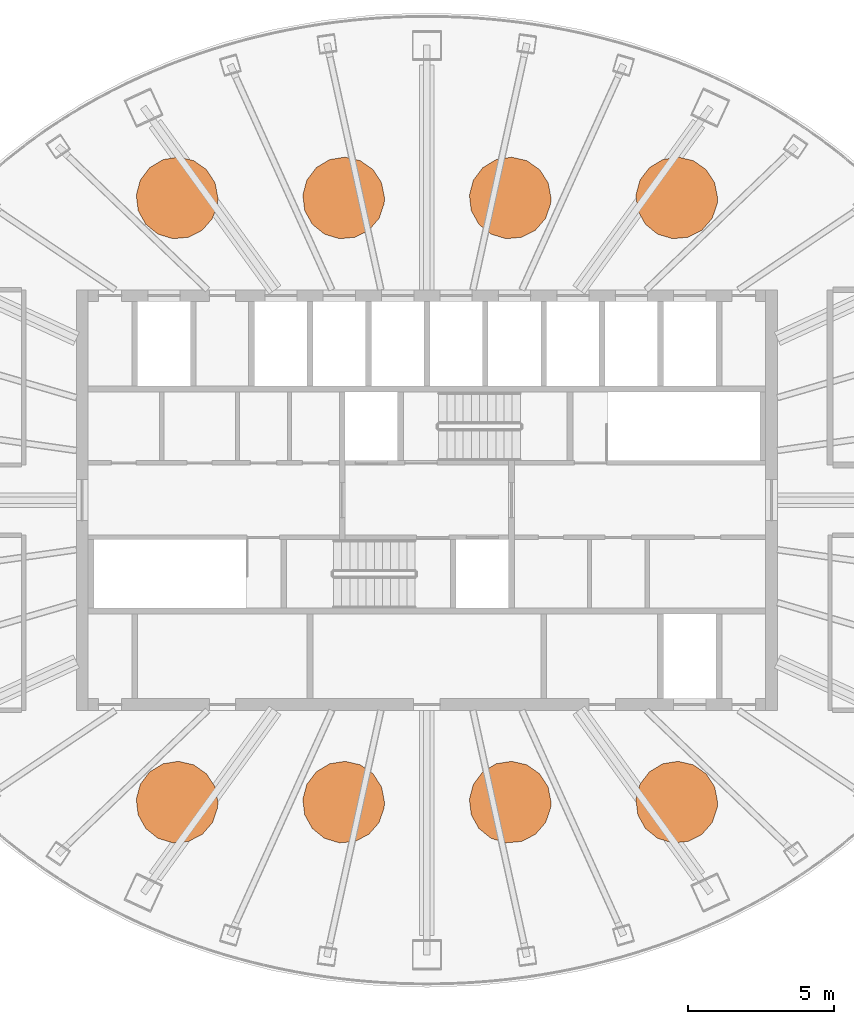
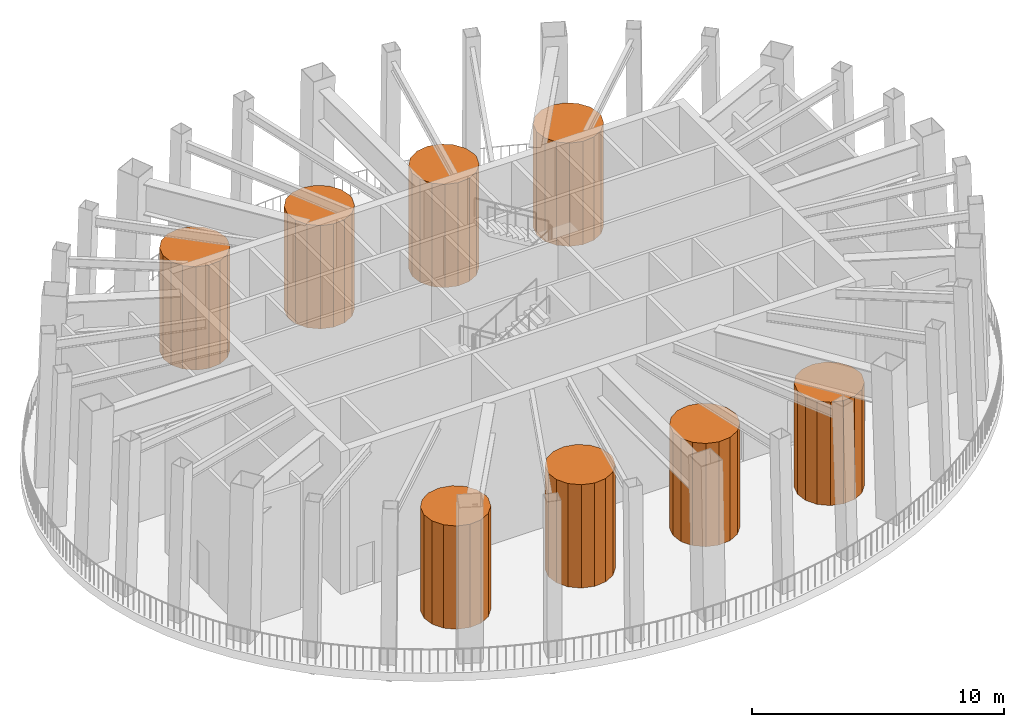
# One storey, part 12 of 12: 8 proxies.
"""IFC4 building model written with IfcOpenShell, lengths in metres."""

from ifc_helpers import new_model, si_unit, direction, frame, origin, place, context, subcontext, project, spatial, polyline, outline, extrude, material, type_object, element, save


model = new_model("IFC4")

# Units and contexts
model_context = context("Model", 3, precision=1e-05, world=origin(), true_north=direction((0.0, 1.0)))
body_context = subcontext(model_context, "Body", "Model", "MODEL_VIEW")
ifc_project = project(units=[si_unit("LENGTHUNIT", "METRE"), si_unit("AREAUNIT", "SQUARE_METRE"), si_unit("VOLUMEUNIT", "CUBIC_METRE"), si_unit("PLANEANGLEUNIT", "RADIAN"), si_unit("MASSUNIT", "GRAM", prefix="KILO")], contexts=[model_context])

# Site, building, storey
site_placement = place(None, origin())
site = spatial("IfcSite", under=ifc_project, at=site_placement, CompositionType="ELEMENT")
building_placement = place(site_placement, origin())
building = spatial("IfcBuilding", under=site, at=building_placement, Name="Siaravel Broadcast Tower", CompositionType="ELEMENT")
storey_placement = place(building_placement, frame((0.0, 0.0, 265.199951171875)))
storey = spatial("IfcBuildingStorey", under=building, at=storey_placement, Name="L65", CompositionType="ELEMENT", Elevation=265.199951171875)

# Proxies
ifc_material = material(Name="Steel S355", Category="steel")
building_element_proxy_type = type_object("IfcBuildingElementProxyType", Name="Vertical-axis wind turbine", PredefinedType="USERDEFINED", material=ifc_material)
proxy_1_placement = place(storey_placement, origin())
element("IfcBuildingElementProxy", 1, at=proxy_1_placement, inside=storey, type_object=building_element_proxy_type, Name="Vertical-axis wind turbine 1", ObjectType="WIND TURBINE", PredefinedType="USERDEFINED", context=body_context, shape_type="SweptSolid", body=[
    extrude(outline(polyline([(-7.152587890625, 10.341552734375), (-7.254638671875, 10.865966796875), (-7.545654296875, 11.314208984375), (-7.983154296875, 11.62060546875), (-8.50390625, 11.74072265625), (-9.031494140625, 11.6572265625), (-9.489501953125, 11.382080078125), (-9.81103515625, 10.955322265625), (-9.94921875, 10.439208984375), (-9.884033203125, 9.908935546875), (-9.625, 9.441650390625), (-9.2099609375, 9.10546875), (-8.698974609375, 8.94921875), (-8.166748046875, 8.995849609375), (-7.690673828125, 9.23828125), (-7.340087890625, 9.6416015625), (-7.166259765625, 10.146728515625), (-7.152587890625, 10.341552734375)])), origin(), (0.0, 0.0, 1.0), 5.0),
])
proxy_2_placement = place(storey_placement, origin())
element("IfcBuildingElementProxy", 2, at=proxy_2_placement, inside=storey, type_object=building_element_proxy_type, Name="Vertical-axis wind turbine 2", ObjectType="WIND TURBINE", PredefinedType="USERDEFINED", context=body_context, shape_type="SweptSolid", body=[
    extrude(outline(polyline([(-1.450927734375, 10.341552734375), (-1.552734375, 10.865966796875), (-1.84375, 11.314208984375), (-2.281494140625, 11.62060546875), (-2.802001953125, 11.74072265625), (-3.32958984375, 11.6572265625), (-3.78759765625, 11.382080078125), (-4.109130859375, 10.955322265625), (-4.24755859375, 10.439208984375), (-4.182373046875, 9.908935546875), (-3.92333984375, 9.441650390625), (-3.50830078125, 9.10546875), (-2.997314453125, 8.94921875), (-2.465087890625, 8.995849609375), (-1.989013671875, 9.23828125), (-1.638427734375, 9.6416015625), (-1.464599609375, 10.146728515625), (-1.450927734375, 10.341552734375)])), origin(), (0.0, 0.0, 1.0), 5.0),
])
proxy_3_placement = place(storey_placement, origin())
element("IfcBuildingElementProxy", 3, at=proxy_3_placement, inside=storey, type_object=building_element_proxy_type, Name="Vertical-axis wind turbine 3", ObjectType="WIND TURBINE", PredefinedType="USERDEFINED", context=body_context, shape_type="SweptSolid", body=[
    extrude(outline(polyline([(4.2509765625, 10.341552734375), (4.14892578125, 10.865966796875), (3.85791015625, 11.314208984375), (3.42041015625, 11.62060546875), (2.899658203125, 11.74072265625), (2.3720703125, 11.6572265625), (1.9140625, 11.382080078125), (1.592529296875, 10.955322265625), (1.454345703125, 10.439208984375), (1.519287109375, 9.908935546875), (1.7783203125, 9.441650390625), (2.193603515625, 9.10546875), (2.70458984375, 8.94921875), (3.23681640625, 8.995849609375), (3.712890625, 9.23828125), (4.063232421875, 9.6416015625), (4.2373046875, 10.146728515625), (4.2509765625, 10.341552734375)])), origin(), (0.0, 0.0, 1.0), 5.0),
])
proxy_4_placement = place(storey_placement, origin())
element("IfcBuildingElementProxy", 4, at=proxy_4_placement, inside=storey, type_object=building_element_proxy_type, Name="Vertical-axis wind turbine 4", ObjectType="WIND TURBINE", PredefinedType="USERDEFINED", context=body_context, shape_type="SweptSolid", body=[
    extrude(outline(polyline([(9.95263671875, 10.341552734375), (9.8505859375, 10.865966796875), (9.559814453125, 11.314208984375), (9.1220703125, 11.62060546875), (8.6015625, 11.74072265625), (8.07373046875, 11.6572265625), (7.615966796875, 11.382080078125), (7.29443359375, 10.955322265625), (7.156005859375, 10.439208984375), (7.22119140625, 9.908935546875), (7.480224609375, 9.441650390625), (7.8955078125, 9.10546875), (8.40625, 8.94921875), (8.938720703125, 8.995849609375), (9.41455078125, 9.23828125), (9.76513671875, 9.6416015625), (9.93896484375, 10.146728515625), (9.95263671875, 10.341552734375)])), origin(), (0.0, 0.0, 1.0), 5.0),
])
proxy_5_placement = place(storey_placement, origin())
element("IfcBuildingElementProxy", 5, at=proxy_5_placement, inside=storey, type_object=building_element_proxy_type, Name="Vertical-axis wind turbine 5", ObjectType="WIND TURBINE", PredefinedType="USERDEFINED", context=body_context, shape_type="SweptSolid", body=[
    extrude(outline(polyline([(-7.152587890625, -10.341552734375), (-7.254638671875, -9.817138671875), (-7.545654296875, -9.369140625), (-7.983154296875, -9.0625), (-8.50390625, -8.9423828125), (-9.031494140625, -9.02587890625), (-9.489501953125, -9.30126953125), (-9.81103515625, -9.727783203125), (-9.94921875, -10.243896484375), (-9.884033203125, -10.774169921875), (-9.625, -11.241455078125), (-9.2099609375, -11.57763671875), (-8.698974609375, -11.73388671875), (-8.166748046875, -11.6875), (-7.690673828125, -11.44482421875), (-7.340087890625, -11.04150390625), (-7.166259765625, -10.536376953125), (-7.152587890625, -10.341552734375)])), origin(), (0.0, 0.0, 1.0), 5.0),
])
proxy_6_placement = place(storey_placement, origin())
element("IfcBuildingElementProxy", 6, at=proxy_6_placement, inside=storey, type_object=building_element_proxy_type, Name="Vertical-axis wind turbine 6", ObjectType="WIND TURBINE", PredefinedType="USERDEFINED", context=body_context, shape_type="SweptSolid", body=[
    extrude(outline(polyline([(-1.450927734375, -10.341552734375), (-1.552734375, -9.817138671875), (-1.84375, -9.369140625), (-2.281494140625, -9.0625), (-2.802001953125, -8.9423828125), (-3.32958984375, -9.02587890625), (-3.78759765625, -9.30126953125), (-4.109130859375, -9.727783203125), (-4.24755859375, -10.243896484375), (-4.182373046875, -10.774169921875), (-3.92333984375, -11.241455078125), (-3.50830078125, -11.57763671875), (-2.997314453125, -11.73388671875), (-2.465087890625, -11.6875), (-1.989013671875, -11.44482421875), (-1.638427734375, -11.04150390625), (-1.464599609375, -10.536376953125), (-1.450927734375, -10.341552734375)])), origin(), (0.0, 0.0, 1.0), 5.0),
])
proxy_7_placement = place(storey_placement, origin())
element("IfcBuildingElementProxy", 7, at=proxy_7_placement, inside=storey, type_object=building_element_proxy_type, Name="Vertical-axis wind turbine 7", ObjectType="WIND TURBINE", PredefinedType="USERDEFINED", context=body_context, shape_type="SweptSolid", body=[
    extrude(outline(polyline([(4.2509765625, -10.341552734375), (4.14892578125, -9.817138671875), (3.85791015625, -9.369140625), (3.42041015625, -9.0625), (2.899658203125, -8.9423828125), (2.3720703125, -9.02587890625), (1.9140625, -9.30126953125), (1.592529296875, -9.727783203125), (1.454345703125, -10.243896484375), (1.519287109375, -10.774169921875), (1.7783203125, -11.241455078125), (2.193603515625, -11.57763671875), (2.70458984375, -11.73388671875), (3.23681640625, -11.6875), (3.712890625, -11.44482421875), (4.063232421875, -11.04150390625), (4.2373046875, -10.536376953125), (4.2509765625, -10.341552734375)])), origin(), (0.0, 0.0, 1.0), 5.0),
])
proxy_8_placement = place(storey_placement, origin())
element("IfcBuildingElementProxy", 8, at=proxy_8_placement, inside=storey, type_object=building_element_proxy_type, Name="Vertical-axis wind turbine 8", ObjectType="WIND TURBINE", PredefinedType="USERDEFINED", context=body_context, shape_type="SweptSolid", body=[
    extrude(outline(polyline([(9.95263671875, -10.341552734375), (9.8505859375, -9.817138671875), (9.559814453125, -9.369140625), (9.1220703125, -9.0625), (8.6015625, -8.9423828125), (8.07373046875, -9.02587890625), (7.615966796875, -9.30126953125), (7.29443359375, -9.727783203125), (7.156005859375, -10.243896484375), (7.22119140625, -10.774169921875), (7.480224609375, -11.241455078125), (7.8955078125, -11.57763671875), (8.40625, -11.73388671875), (8.938720703125, -11.6875), (9.41455078125, -11.44482421875), (9.76513671875, -11.04150390625), (9.93896484375, -10.536376953125), (9.95263671875, -10.341552734375)])), origin(), (0.0, 0.0, 1.0), 5.0),
])

save(model, "model.ifc")
